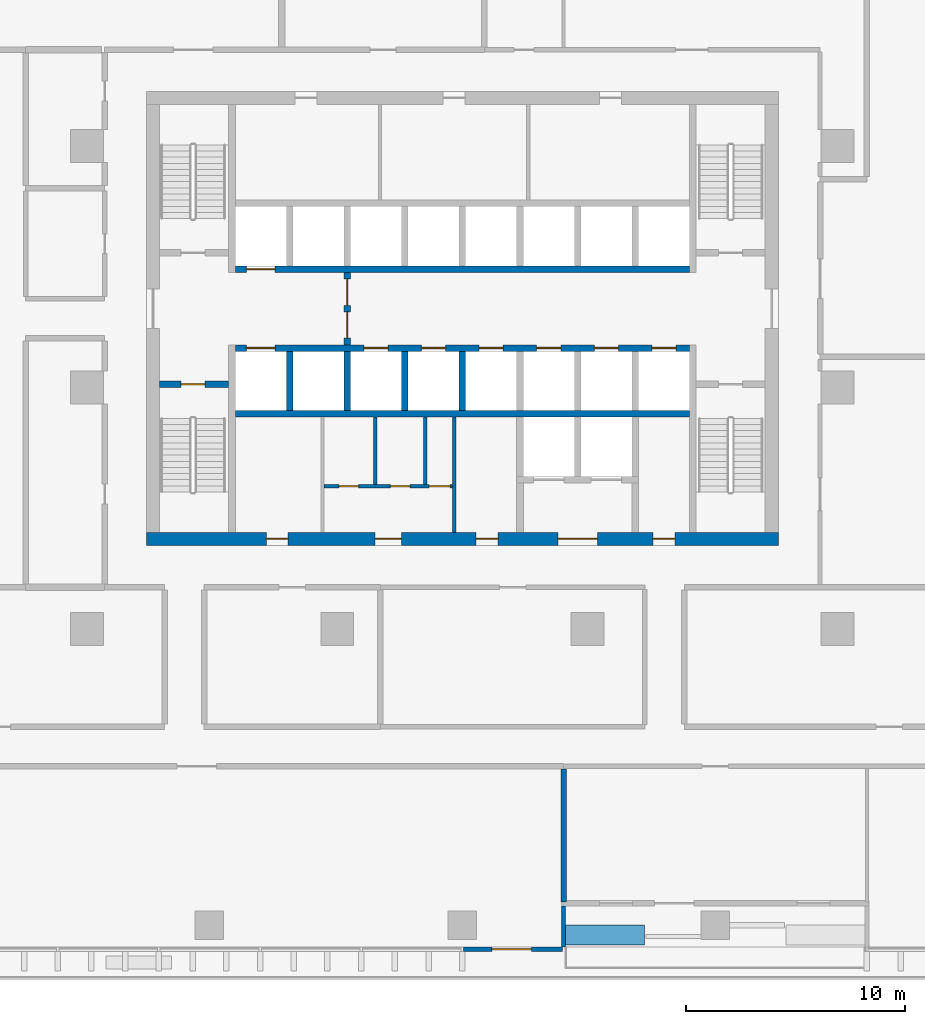
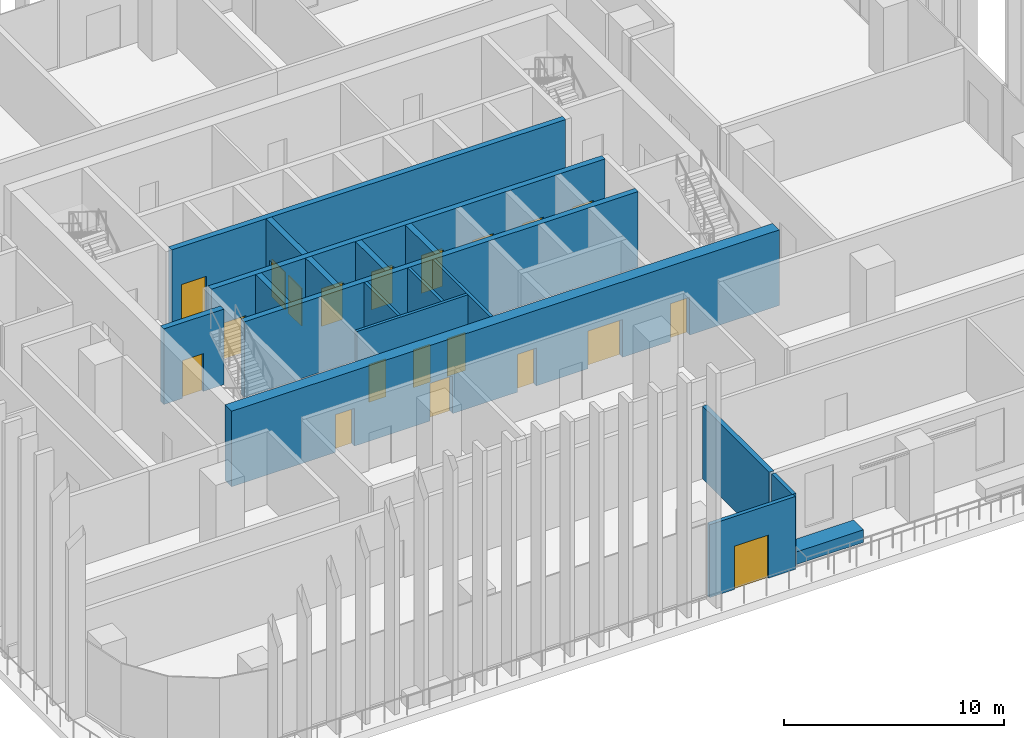
# One storey, part 8 of 18: 20 doors, 18 walls, 20 openings.
"""IFC4 building model written with IfcOpenShell, lengths in metres."""

from ifc_helpers import new_model, si_unit, direction, frame, frame_2d, origin, place, context, subcontext, project, spatial, rectangle, extrude, material, layer, layer_set, type_object, element, fill, save


model = new_model("IFC4")

# Units and contexts
model_context = context("Model", 3, precision=1e-05, world=origin(), true_north=direction((0.0, 1.0)))
body_context = subcontext(model_context, "Body", "Model", "MODEL_VIEW")
ifc_project = project(units=[si_unit("LENGTHUNIT", "METRE"), si_unit("AREAUNIT", "SQUARE_METRE"), si_unit("VOLUMEUNIT", "CUBIC_METRE"), si_unit("PLANEANGLEUNIT", "RADIAN"), si_unit("MASSUNIT", "GRAM", prefix="KILO")], contexts=[model_context])

# Site, building, storey
site_placement = place(None, origin())
site = spatial("IfcSite", under=ifc_project, at=site_placement, CompositionType="ELEMENT")
building_placement = place(site_placement, origin())
building = spatial("IfcBuilding", under=site, at=building_placement, Name="Mopane Tessera Tower", CompositionType="ELEMENT")
storey_placement = place(building_placement, frame((0.0, 0.0, 94.60009765625)))
storey = spatial("IfcBuildingStorey", under=building, at=storey_placement, Name="L18", CompositionType="ELEMENT", Elevation=94.60009765625)

# Wall, openings, doors
ifc_material_1 = material(Name="Fire-rated gypsum board partition")
ifc_layer_1 = layer(ifc_material_1, 0.14990234375)
ifc_layer_set_1 = layer_set([ifc_layer_1], Name="Fire-rated gypsum board partition")
wall_type_1 = type_object("IfcWallType", Name="Core room partition 150 mm", PredefinedType="PARTITIONING", material=ifc_layer_set_1)
wall_1_placement = place(storey_placement, frame((-6.300048828125, -4.5, 0.0), z_axis=(0.0, 0.0, 1.0), x_axis=(1.0, 0.0, 0.0)))
wall_1 = element("IfcWall", 1, at=wall_1_placement, inside=storey, type_object=wall_type_1, Name="L18 WC partition", PredefinedType="PARTITIONING", context=body_context, shape_type="SweptSolid", body=[
    extrude(rectangle(XDim=5.85009765625, YDim=0.14990234375, at=frame_2d((2.925048828125, 0.0))), origin(), (0.0, 0.0, 1.0), 4.199951171875),
])
opening_1_placement = place(wall_1_placement, frame((0.675048828125, 0.0, 0.0)))
opening_1 = element("IfcOpeningElement", 2, at=opening_1_placement, cuts=wall_1, Name="Opening WD1", PredefinedType="OPENING", context=body_context, shape_type="SweptSolid", body=[
    extrude(rectangle(XDim=0.89990234375, YDim=2.10009765625, at=frame_2d((0.449951171875, 1.050048828125))), frame((0.0, 0.0869140625, 0.0), z_axis=(0.0, -1.0, 0.0), x_axis=(1.0, 0.0, 0.0)), (0.0, 0.0, 1.0), 0.173828125),
])
opening_2_placement = place(wall_1_placement, frame((3.014892578125, 0.0, 0.0)))
opening_2 = element("IfcOpeningElement", 3, at=opening_2_placement, cuts=wall_1, Name="Opening WD1", PredefinedType="OPENING", context=body_context, shape_type="SweptSolid", body=[
    extrude(rectangle(XDim=0.89990234375, YDim=2.10009765625, at=frame_2d((0.449951171875, 1.050048828125))), frame((0.0, 0.0869140625, 0.0), z_axis=(0.0, -1.0, 0.0), x_axis=(1.0, 0.0, 0.0)), (0.0, 0.0, 1.0), 0.173828125),
])
opening_3_placement = place(wall_1_placement, frame((4.7900390625, 0.0, 0.0)))
opening_3 = element("IfcOpeningElement", 4, at=opening_3_placement, cuts=wall_1, Name="Opening WD2", PredefinedType="OPENING", context=body_context, shape_type="SweptSolid", body=[
    extrude(rectangle(XDim=0.949951171875, YDim=2.10009765625, at=frame_2d((0.47509765625, 1.050048828125))), frame((0.0, 0.0869140625, 0.0), z_axis=(0.0, -1.0, 0.0), x_axis=(1.0, 0.0, 0.0)), (0.0, 0.0, 1.0), 0.173828125),
])
ifc_material_2 = material(Name="Timber door", Category="wood")
door_type_1 = type_object("IfcDoorType", Name="Accessible WC door 950 x 2100", OperationType="SINGLE_SWING_LEFT", PredefinedType="DOOR", material=ifc_material_2)
door_1_placement = place(opening_3_placement, origin())
door_1 = element("IfcDoor", 5, at=door_1_placement, inside=storey, type_object=door_type_1, Name="L18 Accessible WC door", OperationType="SINGLE_SWING_LEFT", OverallHeight=2.10009765625, OverallWidth=0.949951171875, PredefinedType="DOOR", context=body_context, shape_type="SweptSolid", body=[
    extrude(rectangle(XDim=0.949951171875, YDim=2.10009765625, at=frame_2d((0.47509765625, 1.050048828125))), frame((0.0, 0.02490234375, 0.0), z_axis=(0.0, -1.0, 0.0), x_axis=(1.0, 0.0, 0.0)), (0.0, 0.0, 1.0), 0.050048828125),
])
fill(opening_3, door_1)
ifc_material_3 = material(Name="Timber door", Category="wood")
door_type_2 = type_object("IfcDoorType", Name="WC cubicle door 900 x 2100", OperationType="SINGLE_SWING_LEFT", PredefinedType="DOOR", material=ifc_material_3)
door_2_placement = place(opening_1_placement, origin())
door_2 = element("IfcDoor", 6, at=door_2_placement, inside=storey, type_object=door_type_2, Name="L18 Men's WC door", OperationType="SINGLE_SWING_LEFT", OverallHeight=2.10009765625, OverallWidth=0.89990234375, PredefinedType="DOOR", context=body_context, shape_type="SweptSolid", body=[
    extrude(rectangle(XDim=0.89990234375, YDim=2.10009765625, at=frame_2d((0.449951171875, 1.050048828125))), frame((0.0, 0.02490234375, 0.0), z_axis=(0.0, -1.0, 0.0), x_axis=(1.0, 0.0, 0.0)), (0.0, 0.0, 1.0), 0.050048828125),
])
fill(opening_1, door_2)
door_3_placement = place(opening_2_placement, origin())
door_3 = element("IfcDoor", 7, at=door_3_placement, inside=storey, type_object=door_type_2, Name="L18 Women's WC door", OperationType="SINGLE_SWING_LEFT", OverallHeight=2.10009765625, OverallWidth=0.89990234375, PredefinedType="DOOR", context=body_context, shape_type="SweptSolid", body=[
    extrude(rectangle(XDim=0.89990234375, YDim=2.10009765625, at=frame_2d((0.449951171875, 1.050048828125))), frame((0.0, 0.02490234375, 0.0), z_axis=(0.0, -1.0, 0.0), x_axis=(1.0, 0.0, 0.0)), (0.0, 0.0, 1.0), 0.050048828125),
])
fill(opening_2, door_3)

# Walls
for number, where, z_axis, x_axis, name in (
    (8, (-3.97509765625, -4.425048828125, 0.0), (0.0, 0.0, 1.0), (0.0, 1.0, 0.0), "L18 WC partition"),
    (9, (-1.695068359375, -4.425048828125, 0.0), (0.0, 0.0, 1.0), (0.0, 1.0, 0.0), "L18 WC partition"),
):
    element("IfcWall", number, at=place(storey_placement, frame(where, z_axis=z_axis, x_axis=x_axis)), inside=storey, type_object=wall_type_1, Name=name, PredefinedType="PARTITIONING", context=body_context, shape_type="SweptSolid", body=[
        extrude(rectangle(XDim=3.074951171875, YDim=0.14990234375, at=frame_2d((1.53759765625, 0.0))), origin(), (0.0, 0.0, 1.0), 4.199951171875),
    ])
wall_2_placement = place(storey_placement, frame((-0.375, -6.60009765625, 0.0), z_axis=(0.0, 0.0, 1.0), x_axis=(0.0, 1.0, 0.0)))
element("IfcWall", 10, at=wall_2_placement, inside=storey, type_object=wall_type_1, Name="L18 Room partition", PredefinedType="PARTITIONING", context=body_context, shape_type="SweptSolid", body=[
    extrude(rectangle(XDim=5.25, YDim=0.14990234375, at=frame_2d((2.625, 0.0))), origin(), (0.0, 0.0, 1.0), 4.199951171875),
])

# Wall, openings, doors
ifc_material_4 = material(Name="Concrete C70/85", Category="concrete")
ifc_layer_2 = layer(ifc_material_4, 0.60009765625)
ifc_layer_set_2 = layer_set([ifc_layer_2], Name="Concrete C70/85")
wall_type_2 = type_object("IfcWallType", Name="Core shear wall 600 mm", PredefinedType="SHEAR", material=ifc_layer_set_2)
wall_3_placement = place(storey_placement, frame((-14.39990234375, -6.89990234375, 0.0), z_axis=(0.0, 0.0, 1.0), x_axis=(1.0, 0.0, 0.0)))
wall_3 = element("IfcWall", 11, at=wall_3_placement, inside=storey, type_object=wall_type_2, Name="L18 Core wall south", PredefinedType="SHEAR", context=body_context, shape_type="SweptSolid", body=[
    extrude(rectangle(XDim=28.7998046875, YDim=0.60009765625, at=frame_2d((14.39990234375, 0.0))), origin(), (0.0, 0.0, 1.0), 4.199951171875),
])
opening_4_placement = place(wall_3_placement, frame((5.46240234375, 0.0, 0.0)))
opening_4 = element("IfcOpeningElement", 12, at=opening_4_placement, cuts=wall_3, Name="Opening RD1", PredefinedType="OPENING", context=body_context, shape_type="SweptSolid", body=[
    extrude(rectangle(XDim=1.0, YDim=2.10009765625, at=frame_2d((0.5, 1.050048828125))), frame((0.0, 0.31201171875, 0.0), z_axis=(0.0, -1.0, 0.0), x_axis=(1.0, 0.0, 0.0)), (0.0, 0.0, 1.0), 0.6240234375),
])
opening_5_placement = place(wall_3_placement, frame((10.425048828125, 0.0, 0.0)))
opening_5 = element("IfcOpeningElement", 13, at=opening_5_placement, cuts=wall_3, Name="Opening WD3", PredefinedType="OPENING", context=body_context, shape_type="SweptSolid", body=[
    extrude(rectangle(XDim=1.199951171875, YDim=2.10009765625, at=frame_2d((0.60009765625, 1.050048828125))), frame((0.0, 0.31201171875, 0.0), z_axis=(0.0, -1.0, 0.0), x_axis=(1.0, 0.0, 0.0)), (0.0, 0.0, 1.0), 0.6240234375),
])
opening_6_placement = place(wall_3_placement, frame((15.02490234375, 0.0, 0.0)))
opening_6 = element("IfcOpeningElement", 14, at=opening_6_placement, cuts=wall_3, Name="Opening RD1", PredefinedType="OPENING", context=body_context, shape_type="SweptSolid", body=[
    extrude(rectangle(XDim=1.0, YDim=2.10009765625, at=frame_2d((0.5, 1.050048828125))), frame((0.0, 0.31201171875, 0.0), z_axis=(0.0, -1.0, 0.0), x_axis=(1.0, 0.0, 0.0)), (0.0, 0.0, 1.0), 0.6240234375),
])
opening_7_placement = place(wall_3_placement, frame((18.75, 0.0, 0.0)))
opening_7 = element("IfcOpeningElement", 15, at=opening_7_placement, cuts=wall_3, Name="Opening SD2", PredefinedType="OPENING", context=body_context, shape_type="SweptSolid", body=[
    extrude(rectangle(XDim=1.800048828125, YDim=2.10009765625, at=frame_2d((0.89990234375, 1.050048828125))), frame((0.0, 0.31201171875, 0.0), z_axis=(0.0, -1.0, 0.0), x_axis=(1.0, 0.0, 0.0)), (0.0, 0.0, 1.0), 0.6240234375),
])
opening_8_placement = place(wall_3_placement, frame((23.08740234375, 0.0, 0.0)))
opening_8 = element("IfcOpeningElement", 16, at=opening_8_placement, cuts=wall_3, Name="Opening RD1", PredefinedType="OPENING", context=body_context, shape_type="SweptSolid", body=[
    extrude(rectangle(XDim=1.0, YDim=2.10009765625, at=frame_2d((0.5, 1.050048828125))), frame((0.0, 0.31201171875, 0.0), z_axis=(0.0, -1.0, 0.0), x_axis=(1.0, 0.0, 0.0)), (0.0, 0.0, 1.0), 0.6240234375),
])
ifc_material_5 = material(Name="Steel fire door", Category="steel")
door_type_3 = type_object("IfcDoorType", Name="Core entrance double door 1800 x 2100", OperationType="DOUBLE_DOOR_SINGLE_SWING", PredefinedType="DOOR", material=ifc_material_5)
door_4_placement = place(opening_7_placement, origin())
door_4 = element("IfcDoor", 17, at=door_4_placement, inside=storey, type_object=door_type_3, Name="L18 Service lobby door", OperationType="DOUBLE_DOOR_SINGLE_SWING", OverallHeight=2.10009765625, OverallWidth=1.800048828125, PredefinedType="DOOR", context=body_context, shape_type="SweptSolid", body=[
    extrude(rectangle(XDim=1.800048828125, YDim=2.10009765625, at=frame_2d((0.89990234375, 1.050048828125))), frame((0.0, 0.02490234375, 0.0), z_axis=(0.0, -1.0, 0.0), x_axis=(1.0, 0.0, 0.0)), (0.0, 0.0, 1.0), 0.050048828125),
])
fill(opening_7, door_4)
ifc_material_6 = material(Name="Timber door", Category="wood")
door_type_4 = type_object("IfcDoorType", Name="Core room door 1000 x 2100", OperationType="SINGLE_SWING_LEFT", PredefinedType="DOOR", material=ifc_material_6)
door_5_placement = place(opening_4_placement, origin())
door_5 = element("IfcDoor", 18, at=door_5_placement, inside=storey, type_object=door_type_4, Name="L18 Room door", OperationType="SINGLE_SWING_LEFT", OverallHeight=2.10009765625, OverallWidth=1.0, PredefinedType="DOOR", context=body_context, shape_type="SweptSolid", body=[
    extrude(rectangle(XDim=1.0, YDim=2.10009765625, at=frame_2d((0.5, 1.050048828125))), frame((0.0, 0.02490234375, 0.0), z_axis=(0.0, -1.0, 0.0), x_axis=(1.0, 0.0, 0.0)), (0.0, 0.0, 1.0), 0.050048828125),
])
fill(opening_4, door_5)
door_6_placement = place(opening_6_placement, origin())
door_6 = element("IfcDoor", 19, at=door_6_placement, inside=storey, type_object=door_type_4, Name="L18 Room door", OperationType="SINGLE_SWING_LEFT", OverallHeight=2.10009765625, OverallWidth=1.0, PredefinedType="DOOR", context=body_context, shape_type="SweptSolid", body=[
    extrude(rectangle(XDim=1.0, YDim=2.10009765625, at=frame_2d((0.5, 1.050048828125))), frame((0.0, 0.02490234375, 0.0), z_axis=(0.0, -1.0, 0.0), x_axis=(1.0, 0.0, 0.0)), (0.0, 0.0, 1.0), 0.050048828125),
])
fill(opening_6, door_6)
door_7_placement = place(opening_8_placement, origin())
door_7 = element("IfcDoor", 20, at=door_7_placement, inside=storey, type_object=door_type_4, Name="L18 Room door", OperationType="SINGLE_SWING_LEFT", OverallHeight=2.10009765625, OverallWidth=1.0, PredefinedType="DOOR", context=body_context, shape_type="SweptSolid", body=[
    extrude(rectangle(XDim=1.0, YDim=2.10009765625, at=frame_2d((0.5, 1.050048828125))), frame((0.0, 0.02490234375, 0.0), z_axis=(0.0, -1.0, 0.0), x_axis=(1.0, 0.0, 0.0)), (0.0, 0.0, 1.0), 0.050048828125),
])
fill(opening_8, door_7)
ifc_material_7 = material(Name="Timber door", Category="wood")
door_type_5 = type_object("IfcDoorType", Name="WC lobby door 1200 x 2100", OperationType="SINGLE_SWING_LEFT", PredefinedType="DOOR", material=ifc_material_7)
door_8_placement = place(opening_5_placement, origin())
door_8 = element("IfcDoor", 21, at=door_8_placement, inside=storey, type_object=door_type_5, Name="L18 WC lobby door", OperationType="SINGLE_SWING_LEFT", OverallHeight=2.10009765625, OverallWidth=1.199951171875, PredefinedType="DOOR", context=body_context, shape_type="SweptSolid", body=[
    extrude(rectangle(XDim=1.199951171875, YDim=2.10009765625, at=frame_2d((0.60009765625, 1.050048828125))), frame((0.0, 0.02490234375, 0.0), z_axis=(0.0, -1.0, 0.0), x_axis=(1.0, 0.0, 0.0)), (0.0, 0.0, 1.0), 0.050048828125),
])
fill(opening_5, door_8)

# Wall, opening, door
ifc_material_8 = material(Name="Concrete C50/60", Category="concrete")
ifc_layer_3 = layer(ifc_material_8, 0.300048828125)
ifc_layer_set_3 = layer_set([ifc_layer_3], Name="Concrete C50/60")
wall_type_3 = type_object("IfcWallType", Name="Lift and stair shaft wall 300 mm", PredefinedType="SOLIDWALL", material=ifc_layer_set_3)
wall_4_placement = place(storey_placement, frame((-13.800048828125, 0.14990234375, 0.0), z_axis=(0.0, 0.0, 1.0), x_axis=(1.0, 0.0, 0.0)))
wall_4 = element("IfcWall", 22, at=wall_4_placement, inside=storey, type_object=wall_type_3, Name="L18 Stair enclosure wall", PredefinedType="SOLIDWALL", context=body_context, shape_type="SweptSolid", body=[
    extrude(rectangle(XDim=3.150146484375, YDim=0.300048828125, at=frame_2d((1.5751953125, 0.0))), origin(), (0.0, 0.0, 1.0), 4.199951171875),
])
opening_9_placement = place(wall_4_placement, frame((0.97509765625, 0.0, 0.0)))
opening_9 = element("IfcOpeningElement", 23, at=opening_9_placement, cuts=wall_4, Name="Opening SD1", PredefinedType="OPENING", context=body_context, shape_type="SweptSolid", body=[
    extrude(rectangle(XDim=1.10009765625, YDim=2.10009765625, at=frame_2d((0.550048828125, 1.050048828125))), frame((0.0, 0.162109375, 0.0), z_axis=(0.0, -1.0, 0.0), x_axis=(1.0, 0.0, 0.0)), (0.0, 0.0, 1.0), 0.323974609375),
])
ifc_material_9 = material(Name="Steel fire door", Category="steel")
door_type_6 = type_object("IfcDoorType", Name="Stair fire door 1100 x 2100", OperationType="SINGLE_SWING_LEFT", PredefinedType="DOOR", material=ifc_material_9)
door_9_placement = place(opening_9_placement, origin())
door_9 = element("IfcDoor", 24, at=door_9_placement, inside=storey, type_object=door_type_6, Name="L18 Stair door ST1", OperationType="SINGLE_SWING_LEFT", OverallHeight=2.10009765625, OverallWidth=1.10009765625, PredefinedType="DOOR", context=body_context, shape_type="SweptSolid", body=[
    extrude(rectangle(XDim=1.10009765625, YDim=2.10009765625, at=frame_2d((0.550048828125, 1.050048828125))), frame((0.0, 0.02490234375, 0.0), z_axis=(0.0, -1.0, 0.0), x_axis=(1.0, 0.0, 0.0)), (0.0, 0.0, 1.0), 0.050048828125),
])
fill(opening_9, door_9)

# Wall
wall_5_placement = place(storey_placement, frame((-10.35009765625, -1.199951171875, 0.0), z_axis=(0.0, 0.0, 1.0), x_axis=(1.0, 0.0, 0.0)))
element("IfcWall", 25, at=wall_5_placement, inside=storey, type_object=wall_type_3, Name="L18 Lift shaft rear wall", PredefinedType="SOLIDWALL", context=body_context, shape_type="SweptSolid", body=[
    extrude(rectangle(XDim=20.7001953125, YDim=0.300048828125, at=frame_2d((10.35009765625, 0.0))), origin(), (0.0, 0.0, 1.0), 4.199951171875),
])

# Wall, openings, doors
wall_6_placement = place(storey_placement, frame((-10.35009765625, 1.800048828125, 0.0), z_axis=(0.0, 0.0, 1.0), x_axis=(1.0, 0.0, 0.0)))
wall_6 = element("IfcWall", 26, at=wall_6_placement, inside=storey, type_object=wall_type_3, Name="L18 Lift shaft front wall", PredefinedType="SOLIDWALL", context=body_context, shape_type="SweptSolid", body=[
    extrude(rectangle(XDim=20.7001953125, YDim=0.300048828125, at=frame_2d((10.35009765625, 0.0))), origin(), (0.0, 0.0, 1.0), 4.199951171875),
])
opening_10_placement = place(wall_6_placement, frame((0.512451171875, 0.0, 0.0)))
opening_10 = element("IfcOpeningElement", 27, at=opening_10_placement, cuts=wall_6, Name="Opening LD2", PredefinedType="OPENING", context=body_context, shape_type="SweptSolid", body=[
    extrude(rectangle(XDim=1.300048828125, YDim=2.10009765625, at=frame_2d((0.64990234375, 1.050048828125))), frame((0.0, 0.162109375, 0.0), z_axis=(0.0, -1.0, 0.0), x_axis=(1.0, 0.0, 0.0)), (0.0, 0.0, 1.0), 0.323974609375),
])
opening_11_placement = place(wall_6_placement, frame((5.862548828125, 0.0, 0.0)))
opening_11 = element("IfcOpeningElement", 28, at=opening_11_placement, cuts=wall_6, Name="Opening LD", PredefinedType="OPENING", context=body_context, shape_type="SweptSolid", body=[
    extrude(rectangle(XDim=1.10009765625, YDim=2.10009765625, at=frame_2d((0.550048828125, 1.050048828125))), frame((0.0, 0.162109375, 0.0), z_axis=(0.0, -1.0, 0.0), x_axis=(1.0, 0.0, 0.0)), (0.0, 0.0, 1.0), 0.323974609375),
])
opening_12_placement = place(wall_6_placement, frame((8.487548828125, 0.0, 0.0)))
opening_12 = element("IfcOpeningElement", 29, at=opening_12_placement, cuts=wall_6, Name="Opening LD", PredefinedType="OPENING", context=body_context, shape_type="SweptSolid", body=[
    extrude(rectangle(XDim=1.10009765625, YDim=2.10009765625, at=frame_2d((0.550048828125, 1.050048828125))), frame((0.0, 0.162109375, 0.0), z_axis=(0.0, -1.0, 0.0), x_axis=(1.0, 0.0, 0.0)), (0.0, 0.0, 1.0), 0.323974609375),
])
opening_13_placement = place(wall_6_placement, frame((11.112548828125, 0.0, 0.0)))
opening_13 = element("IfcOpeningElement", 30, at=opening_13_placement, cuts=wall_6, Name="Opening LD", PredefinedType="OPENING", context=body_context, shape_type="SweptSolid", body=[
    extrude(rectangle(XDim=1.10009765625, YDim=2.10009765625, at=frame_2d((0.550048828125, 1.050048828125))), frame((0.0, 0.162109375, 0.0), z_axis=(0.0, -1.0, 0.0), x_axis=(1.0, 0.0, 0.0)), (0.0, 0.0, 1.0), 0.323974609375),
])
opening_14_placement = place(wall_6_placement, frame((13.737548828125, 0.0, 0.0)))
opening_14 = element("IfcOpeningElement", 31, at=opening_14_placement, cuts=wall_6, Name="Opening LD", PredefinedType="OPENING", context=body_context, shape_type="SweptSolid", body=[
    extrude(rectangle(XDim=1.10009765625, YDim=2.10009765625, at=frame_2d((0.550048828125, 1.050048828125))), frame((0.0, 0.162109375, 0.0), z_axis=(0.0, -1.0, 0.0), x_axis=(1.0, 0.0, 0.0)), (0.0, 0.0, 1.0), 0.323974609375),
])
opening_15_placement = place(wall_6_placement, frame((16.362548828125, 0.0, 0.0)))
opening_15 = element("IfcOpeningElement", 32, at=opening_15_placement, cuts=wall_6, Name="Opening LD", PredefinedType="OPENING", context=body_context, shape_type="SweptSolid", body=[
    extrude(rectangle(XDim=1.10009765625, YDim=2.10009765625, at=frame_2d((0.550048828125, 1.050048828125))), frame((0.0, 0.162109375, 0.0), z_axis=(0.0, -1.0, 0.0), x_axis=(1.0, 0.0, 0.0)), (0.0, 0.0, 1.0), 0.323974609375),
])
opening_16_placement = place(wall_6_placement, frame((18.987548828125, 0.0, 0.0)))
opening_16 = element("IfcOpeningElement", 33, at=opening_16_placement, cuts=wall_6, Name="Opening LD", PredefinedType="OPENING", context=body_context, shape_type="SweptSolid", body=[
    extrude(rectangle(XDim=1.10009765625, YDim=2.10009765625, at=frame_2d((0.550048828125, 1.050048828125))), frame((0.0, 0.162109375, 0.0), z_axis=(0.0, -1.0, 0.0), x_axis=(1.0, 0.0, 0.0)), (0.0, 0.0, 1.0), 0.323974609375),
])
ifc_material_10 = material(Name="Stainless steel sliding door", Category="steel")
door_type_7 = type_object("IfcDoorType", Name="Fire-fighting lift landing door 1300 x 2100", OperationType="DOUBLE_DOOR_SLIDING", PredefinedType="DOOR", material=ifc_material_10)
door_10_placement = place(opening_10_placement, origin())
door_10 = element("IfcDoor", 34, at=door_10_placement, inside=storey, type_object=door_type_7, Name="L18 Lift landing door FF1", OperationType="DOUBLE_DOOR_SLIDING", OverallHeight=2.10009765625, OverallWidth=1.300048828125, PredefinedType="DOOR", context=body_context, shape_type="SweptSolid", body=[
    extrude(rectangle(XDim=1.300048828125, YDim=2.10009765625, at=frame_2d((0.64990234375, 1.050048828125))), frame((0.0, 0.02490234375, 0.0), z_axis=(0.0, -1.0, 0.0), x_axis=(1.0, 0.0, 0.0)), (0.0, 0.0, 1.0), 0.050048828125),
])
fill(opening_10, door_10)
ifc_material_11 = material(Name="Stainless steel sliding door", Category="steel")
door_type_8 = type_object("IfcDoorType", Name="Lift landing door 1100 x 2100", OperationType="DOUBLE_DOOR_SLIDING", PredefinedType="DOOR", material=ifc_material_11)
door_11_placement = place(opening_11_placement, origin())
door_11 = element("IfcDoor", 35, at=door_11_placement, inside=storey, type_object=door_type_8, Name="L18 Lift landing door LR1", OperationType="DOUBLE_DOOR_SLIDING", OverallHeight=2.10009765625, OverallWidth=1.10009765625, PredefinedType="DOOR", context=body_context, shape_type="SweptSolid", body=[
    extrude(rectangle(XDim=1.10009765625, YDim=2.10009765625, at=frame_2d((0.550048828125, 1.050048828125))), frame((0.0, 0.02490234375, 0.0), z_axis=(0.0, -1.0, 0.0), x_axis=(1.0, 0.0, 0.0)), (0.0, 0.0, 1.0), 0.050048828125),
])
fill(opening_11, door_11)
door_12_placement = place(opening_12_placement, origin())
door_12 = element("IfcDoor", 36, at=door_12_placement, inside=storey, type_object=door_type_8, Name="L18 Lift landing door LR2", OperationType="DOUBLE_DOOR_SLIDING", OverallHeight=2.10009765625, OverallWidth=1.10009765625, PredefinedType="DOOR", context=body_context, shape_type="SweptSolid", body=[
    extrude(rectangle(XDim=1.10009765625, YDim=2.10009765625, at=frame_2d((0.550048828125, 1.050048828125))), frame((0.0, 0.02490234375, 0.0), z_axis=(0.0, -1.0, 0.0), x_axis=(1.0, 0.0, 0.0)), (0.0, 0.0, 1.0), 0.050048828125),
])
fill(opening_12, door_12)
door_13_placement = place(opening_13_placement, origin())
door_13 = element("IfcDoor", 37, at=door_13_placement, inside=storey, type_object=door_type_8, Name="L18 Lift landing door LR3", OperationType="DOUBLE_DOOR_SLIDING", OverallHeight=2.10009765625, OverallWidth=1.10009765625, PredefinedType="DOOR", context=body_context, shape_type="SweptSolid", body=[
    extrude(rectangle(XDim=1.10009765625, YDim=2.10009765625, at=frame_2d((0.550048828125, 1.050048828125))), frame((0.0, 0.02490234375, 0.0), z_axis=(0.0, -1.0, 0.0), x_axis=(1.0, 0.0, 0.0)), (0.0, 0.0, 1.0), 0.050048828125),
])
fill(opening_13, door_13)
door_14_placement = place(opening_14_placement, origin())
door_14 = element("IfcDoor", 38, at=door_14_placement, inside=storey, type_object=door_type_8, Name="L18 Lift landing door LR4", OperationType="DOUBLE_DOOR_SLIDING", OverallHeight=2.10009765625, OverallWidth=1.10009765625, PredefinedType="DOOR", context=body_context, shape_type="SweptSolid", body=[
    extrude(rectangle(XDim=1.10009765625, YDim=2.10009765625, at=frame_2d((0.550048828125, 1.050048828125))), frame((0.0, 0.02490234375, 0.0), z_axis=(0.0, -1.0, 0.0), x_axis=(1.0, 0.0, 0.0)), (0.0, 0.0, 1.0), 0.050048828125),
])
fill(opening_14, door_14)
door_15_placement = place(opening_15_placement, origin())
door_15 = element("IfcDoor", 39, at=door_15_placement, inside=storey, type_object=door_type_8, Name="L18 Lift landing door LR5", OperationType="DOUBLE_DOOR_SLIDING", OverallHeight=2.10009765625, OverallWidth=1.10009765625, PredefinedType="DOOR", context=body_context, shape_type="SweptSolid", body=[
    extrude(rectangle(XDim=1.10009765625, YDim=2.10009765625, at=frame_2d((0.550048828125, 1.050048828125))), frame((0.0, 0.02490234375, 0.0), z_axis=(0.0, -1.0, 0.0), x_axis=(1.0, 0.0, 0.0)), (0.0, 0.0, 1.0), 0.050048828125),
])
fill(opening_15, door_15)
door_16_placement = place(opening_16_placement, origin())
door_16 = element("IfcDoor", 40, at=door_16_placement, inside=storey, type_object=door_type_8, Name="L18 Lift landing door LR6", OperationType="DOUBLE_DOOR_SLIDING", OverallHeight=2.10009765625, OverallWidth=1.10009765625, PredefinedType="DOOR", context=body_context, shape_type="SweptSolid", body=[
    extrude(rectangle(XDim=1.10009765625, YDim=2.10009765625, at=frame_2d((0.550048828125, 1.050048828125))), frame((0.0, 0.02490234375, 0.0), z_axis=(0.0, -1.0, 0.0), x_axis=(1.0, 0.0, 0.0)), (0.0, 0.0, 1.0), 0.050048828125),
])
fill(opening_16, door_16)

# Wall, opening, door
wall_7_placement = place(storey_placement, frame((-10.35009765625, 5.39990234375, 0.0), z_axis=(0.0, 0.0, 1.0), x_axis=(1.0, 0.0, 0.0)))
wall_7 = element("IfcWall", 41, at=wall_7_placement, inside=storey, type_object=wall_type_3, Name="L18 Lift shaft front wall", PredefinedType="SOLIDWALL", context=body_context, shape_type="SweptSolid", body=[
    extrude(rectangle(XDim=20.7001953125, YDim=0.300048828125, at=frame_2d((10.35009765625, 0.0))), origin(), (0.0, 0.0, 1.0), 4.199951171875),
])
opening_17_placement = place(wall_7_placement, frame((0.512451171875, 0.0, 0.0)))
opening_17 = element("IfcOpeningElement", 42, at=opening_17_placement, cuts=wall_7, Name="Opening LD2", PredefinedType="OPENING", context=body_context, shape_type="SweptSolid", body=[
    extrude(rectangle(XDim=1.300048828125, YDim=2.10009765625, at=frame_2d((0.64990234375, 1.050048828125))), frame((0.0, 0.162109375, 0.0), z_axis=(0.0, -1.0, 0.0), x_axis=(1.0, 0.0, 0.0)), (0.0, 0.0, 1.0), 0.323974609375),
])
door_17_placement = place(opening_17_placement, origin())
door_17 = element("IfcDoor", 43, at=door_17_placement, inside=storey, type_object=door_type_7, Name="L18 Lift landing door FF2", OperationType="DOUBLE_DOOR_SLIDING", OverallHeight=2.10009765625, OverallWidth=1.300048828125, PredefinedType="DOOR", context=body_context, shape_type="SweptSolid", body=[
    extrude(rectangle(XDim=1.300048828125, YDim=2.10009765625, at=frame_2d((0.64990234375, 1.050048828125))), frame((0.0, 0.02490234375, 0.0), z_axis=(0.0, -1.0, 0.0), x_axis=(1.0, 0.0, 0.0)), (0.0, 0.0, 1.0), 0.050048828125),
])
fill(opening_17, door_17)

# Walls
for number, where, z_axis, x_axis, name in (
    (44, (-7.875, -1.050048828125, 0.0), (0.0, 0.0, 1.0), (0.0, 1.0, 0.0), "L18 Lift shaft wall"),
    (45, (-5.25, -1.050048828125, 0.0), (0.0, 0.0, 1.0), (0.0, 1.0, 0.0), "L18 Lift shaft wall"),
    (46, (-2.625, -1.050048828125, 0.0), (0.0, 0.0, 1.0), (0.0, 1.0, 0.0), "L18 Lift shaft wall"),
    (47, (0.0, -1.050048828125, 0.0), (0.0, 0.0, 1.0), (0.0, 1.0, 0.0), "L18 Lift shaft wall"),
):
    element("IfcWall", number, at=place(storey_placement, frame(where, z_axis=z_axis, x_axis=x_axis)), inside=storey, type_object=wall_type_3, Name=name, PredefinedType="SOLIDWALL", context=body_context, shape_type="SweptSolid", body=[
        extrude(rectangle(XDim=2.699951171875, YDim=0.300048828125, at=frame_2d((1.35009765625, 0.0))), origin(), (0.0, 0.0, 1.0), 4.199951171875),
    ])

# Wall, openings, doors
ifc_material_12 = material(Name="Concrete C50/60", Category="concrete")
ifc_layer_4 = layer(ifc_material_12, 0.300048828125)
ifc_layer_set_4 = layer_set([ifc_layer_4], Name="Concrete C50/60")
wall_type_4 = type_object("IfcWallType", Name="Lobby and refuge room wall 300 mm", PredefinedType="SOLIDWALL", material=ifc_layer_set_4)
wall_8_placement = place(storey_placement, frame((-5.25, 1.949951171875, 0.0), z_axis=(0.0, 0.0, 1.0), x_axis=(0.0, 1.0, 0.0)))
wall_8 = element("IfcWall", 48, at=wall_8_placement, inside=storey, type_object=wall_type_4, Name="L18 Fire-fighting lobby wall", PredefinedType="SOLIDWALL", context=body_context, shape_type="SweptSolid", body=[
    extrude(rectangle(XDim=3.300048828125, YDim=0.300048828125, at=frame_2d((1.64990234375, 0.0))), origin(), (0.0, 0.0, 1.0), 4.199951171875),
])
opening_18_placement = place(wall_8_placement, frame((0.300048828125, 0.0, 0.0)))
opening_18 = element("IfcOpeningElement", 49, at=opening_18_placement, cuts=wall_8, Name="Opening SD3", PredefinedType="OPENING", context=body_context, shape_type="SweptSolid", body=[
    extrude(rectangle(XDim=1.199951171875, YDim=2.10009765625, at=frame_2d((0.60009765625, 1.050048828125))), frame((0.0, 0.162109375, 0.0), z_axis=(0.0, -1.0, 0.0), x_axis=(1.0, 0.0, 0.0)), (0.0, 0.0, 1.0), 0.323974609375),
])
opening_19_placement = place(wall_8_placement, frame((1.800048828125, 0.0, 0.0)))
opening_19 = element("IfcOpeningElement", 50, at=opening_19_placement, cuts=wall_8, Name="Opening SD3", PredefinedType="OPENING", context=body_context, shape_type="SweptSolid", body=[
    extrude(rectangle(XDim=1.199951171875, YDim=2.10009765625, at=frame_2d((0.60009765625, 1.050048828125))), frame((0.0, 0.162109375, 0.0), z_axis=(0.0, -1.0, 0.0), x_axis=(1.0, 0.0, 0.0)), (0.0, 0.0, 1.0), 0.323974609375),
])
ifc_material_13 = material(Name="Steel fire door", Category="steel")
door_type_9 = type_object("IfcDoorType", Name="Lobby fire door 1200 x 2100", OperationType="SINGLE_SWING_LEFT", PredefinedType="DOOR", material=ifc_material_13)
door_18_placement = place(opening_18_placement, origin())
door_18 = element("IfcDoor", 51, at=door_18_placement, inside=storey, type_object=door_type_9, Name="L18 Fire-fighting lobby door", OperationType="SINGLE_SWING_LEFT", OverallHeight=2.10009765625, OverallWidth=1.199951171875, PredefinedType="DOOR", context=body_context, shape_type="SweptSolid", body=[
    extrude(rectangle(XDim=1.199951171875, YDim=2.10009765625, at=frame_2d((0.60009765625, 1.050048828125))), frame((0.0, 0.02490234375, 0.0), z_axis=(0.0, -1.0, 0.0), x_axis=(1.0, 0.0, 0.0)), (0.0, 0.0, 1.0), 0.050048828125),
])
fill(opening_18, door_18)
door_19_placement = place(opening_19_placement, origin())
door_19 = element("IfcDoor", 52, at=door_19_placement, inside=storey, type_object=door_type_9, Name="L18 Fire-fighting lobby door", OperationType="SINGLE_SWING_RIGHT", OverallHeight=2.10009765625, OverallWidth=1.199951171875, PredefinedType="DOOR", context=body_context, shape_type="SweptSolid", body=[
    extrude(rectangle(XDim=1.199951171875, YDim=2.10009765625, at=frame_2d((0.60009765625, 1.050048828125))), frame((0.0, 0.02490234375, 0.0), z_axis=(0.0, -1.0, 0.0), x_axis=(1.0, 0.0, 0.0)), (0.0, 0.0, 1.0), 0.050048828125),
])
fill(opening_19, door_19)

# Walls
ifc_material_14 = material(Name="Reinforced concrete C32/40 with waterproofing", Category="concrete")
ifc_layer_5 = layer(ifc_material_14, 0.89990234375)
ifc_layer_set_5 = layer_set([ifc_layer_5], Name="Reinforced concrete C32/40 with waterproofing")
wall_type_5 = type_object("IfcWallType", Name="Planter trough 3600 x 900", PredefinedType="STANDARD", material=ifc_layer_set_5)
wall_9_placement = place(storey_placement, frame((4.7099609375, -24.949951171875, 0.0), z_axis=(0.0, 0.0, 1.0), x_axis=(1.0, 0.0, 0.0)))
element("IfcWall", 53, at=wall_9_placement, inside=storey, type_object=wall_type_5, Name="e:nw:L18:N3:pl0", PredefinedType="STANDARD", context=body_context, shape_type="SweptSolid", body=[
    extrude(rectangle(XDim=3.60009765625, YDim=0.89990234375, at=frame_2d((1.800048828125, 0.0))), origin(), (0.0, 0.0, 1.0), 0.699951171875),
])
ifc_material_15 = material(Name="Plastered concrete blockwork C20/25", Category="masonry")
ifc_layer_6 = layer(ifc_material_15, 0.25)
ifc_layer_set_6 = layer_set([ifc_layer_6], Name="Plastered concrete blockwork C20/25")
wall_type_6 = type_object("IfcWallType", Name="Plastered blockwork wall 250, rated EI 120", PredefinedType="PARTITIONING", material=ifc_layer_set_6)
wall_10_placement = place(storey_placement, frame((4.610107421875, -23.449951171875, 0.0), z_axis=(0.0, 0.0, 1.0), x_axis=(0.0, 1.0, 0.0)))
element("IfcWall", 54, at=wall_10_placement, inside=storey, type_object=wall_type_6, Name="Partition L18:040", PredefinedType="PARTITIONING", context=body_context, shape_type="SweptSolid", body=[
    extrude(rectangle(XDim=6.074951171875, YDim=0.25, at=frame_2d((3.03759765625, 0.0))), origin(), (0.0, 0.0, 1.0), 4.0498046875),
])
ifc_material_16 = material(Name="Blockwork with glazed tile facing", Category="masonry")
ifc_layer_7 = layer(ifc_material_16, 0.199951171875)
ifc_layer_set_7 = layer_set([ifc_layer_7], Name="Blockwork with glazed tile facing")
wall_type_7 = type_object("IfcWallType", Name="Terrace cheek wall 200", PredefinedType="STANDARD", material=ifc_layer_set_7)
wall_11_placement = place(storey_placement, frame((4.610107421875, -25.5, 0.0), z_axis=(0.0, 0.0, 1.0), x_axis=(0.0, 1.0, 0.0)))
element("IfcWall", 55, at=wall_11_placement, inside=storey, type_object=wall_type_7, Name="e:nw:L18:N3:cheeka", PredefinedType="STANDARD", context=body_context, shape_type="SweptSolid", body=[
    extrude(rectangle(XDim=1.875, YDim=0.199951171875, at=frame_2d((0.9375, 0.0))), origin(), (0.0, 0.0, 1.0), 4.0498046875),
])

# Wall, opening, door
ifc_material_17 = material(Name="Blockwork with glazed tile facing", Category="masonry")
ifc_layer_8 = layer(ifc_material_17, 0.199951171875)
ifc_layer_set_8 = layer_set([ifc_layer_8], Name="Blockwork with glazed tile facing")
wall_type_8 = type_object("IfcWallType", Name="Tile-clad portal wall 200", PredefinedType="STANDARD", material=ifc_layer_set_8)
wall_12_placement = place(storey_placement, frame((0.054931640625, -25.60009765625, 0.0), z_axis=(0.0, 0.0, 1.0), x_axis=(1.0, 0.0, 0.0)))
wall_12 = element("IfcWall", 56, at=wall_12_placement, inside=storey, type_object=wall_type_8, Name="e:pw:L18:S", PredefinedType="STANDARD", context=body_context, shape_type="SweptSolid", body=[
    extrude(rectangle(XDim=4.5, YDim=0.199951171875, at=frame_2d((2.25, 0.0))), origin(), (0.0, 0.0, 1.0), 4.0498046875),
])
opening_20_placement = place(wall_12_placement, frame((1.294921875, 0.0, 0.0)))
opening_20 = element("IfcOpeningElement", 57, at=opening_20_placement, cuts=wall_12, Name="Opening TD18S", PredefinedType="OPENING", context=body_context, shape_type="SweptSolid", body=[
    extrude(rectangle(XDim=1.800048828125, YDim=2.39990234375, at=frame_2d((0.89990234375, 1.199951171875))), frame((0.0, 0.112060546875, 0.0), z_axis=(0.0, -1.0, 0.0), x_axis=(1.0, 0.0, 0.0)), (0.0, 0.0, 1.0), 0.223876953125),
])
ifc_material_18 = material(Name="Aluminium and clear glass", Category="aluminium")
door_type_10 = type_object("IfcDoorType", Name="Terrace double door 1800 x 2400", OperationType="DOUBLE_DOOR_SINGLE_SWING", PredefinedType="DOOR", material=ifc_material_18)
door_20_placement = place(opening_20_placement, origin())
door_20 = element("IfcDoor", 58, at=door_20_placement, inside=storey, type_object=door_type_10, Name="e:pw:L18:S:door", ObjectType="D1", OperationType="DOUBLE_DOOR_SINGLE_SWING", OverallHeight=2.39990234375, OverallWidth=1.800048828125, PredefinedType="DOOR", context=body_context, shape_type="SweptSolid", body=[
    extrude(rectangle(XDim=1.800048828125, YDim=2.39990234375, at=frame_2d((0.89990234375, 1.199951171875))), frame((0.0, 0.02490234375, 0.0), z_axis=(0.0, -1.0, 0.0), x_axis=(1.0, 0.0, 0.0)), (0.0, 0.0, 1.0), 0.050048828125),
])
fill(opening_20, door_20)

save(model, "model.ifc")
